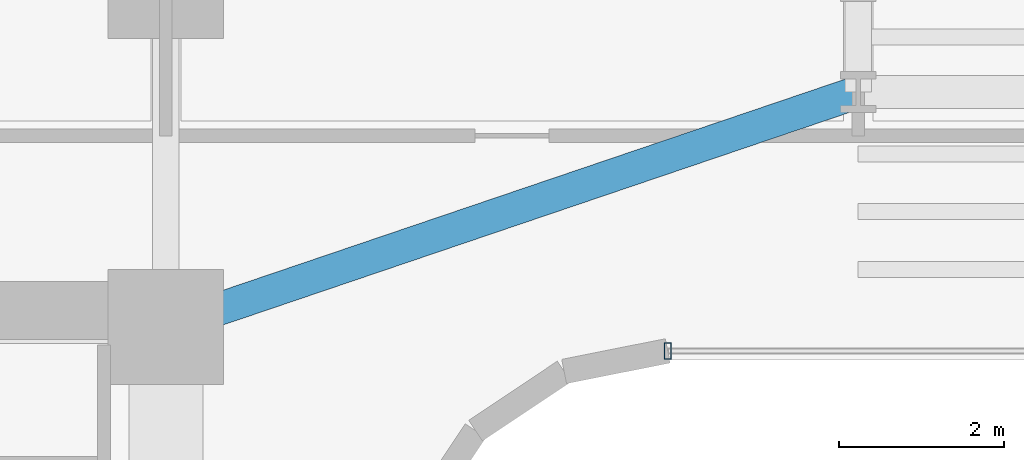
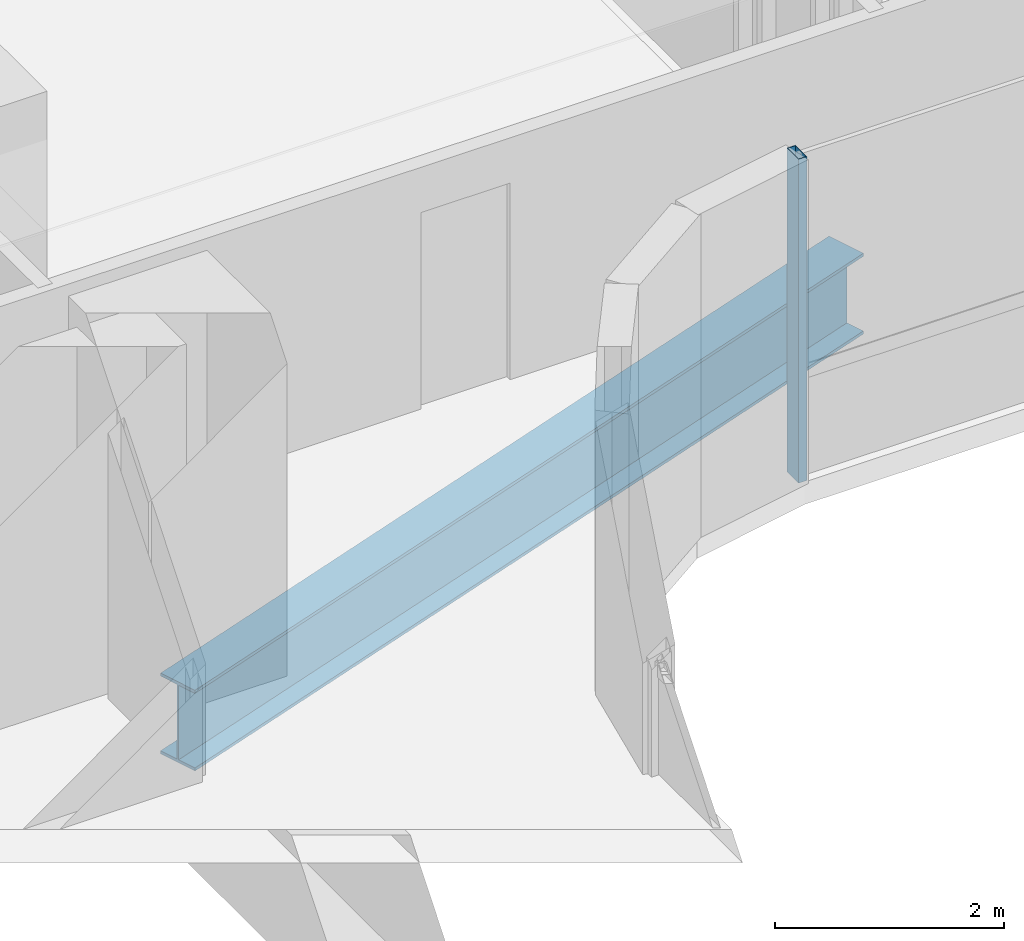
# One storey, part 11 of 38: 1 beam, 1 member, 1 element without a shape of its own.
"""IFC4 building model written with IfcOpenShell, lengths in metres."""

from ifc_helpers import new_model, si_unit, direction, frame, origin, origin_2d, place, context, subcontext, project, spatial, hollow_rectangle, i_section, extrude, source, transform, mapped, material, material_profile, profile_set, type_object, element, aggregate, save


model = new_model("IFC4")

# Units and contexts
model_context = context("Model", 3, precision=1e-05, world=origin(), true_north=direction((0.0, 1.0)))
body_context = subcontext(model_context, "Body", "Model", "MODEL_VIEW")
ifc_project = project(units=[si_unit("LENGTHUNIT", "METRE"), si_unit("AREAUNIT", "SQUARE_METRE"), si_unit("VOLUMEUNIT", "CUBIC_METRE"), si_unit("PLANEANGLEUNIT", "RADIAN"), si_unit("MASSUNIT", "GRAM", prefix="KILO")], contexts=[model_context])

# Site, building, storey
site_placement = place(None, origin())
site = spatial("IfcSite", under=ifc_project, at=site_placement, CompositionType="ELEMENT")
building_placement = place(site_placement, origin())
building = spatial("IfcBuilding", under=site, at=building_placement, Name="Valdorenza Pilgrim Sanctuary Tower", CompositionType="ELEMENT")
storey_placement = place(building_placement, frame((0.0, 0.0, 37.10009765625)))
storey = spatial("IfcBuildingStorey", under=building, at=storey_placement, Name="L08", CompositionType="ELEMENT", Elevation=37.10009765625)

# Beam
ifc_material_1 = material(Name="Steel ASTM A992 Grade 50", Category="steel")
ifc_material_profile_1 = material_profile(ifc_material_1, i_section(OverallWidth=0.39990234375, OverallDepth=0.862060546875, WebThickness=0.019775390625, FlangeThickness=0.032470703125, at=origin_2d()), Name="W33X221")
ifc_profile_set_1 = profile_set([ifc_material_profile_1], Name="Steel ASTM A992 Grade 50")
beam_type = type_object("IfcBeamType", Name="STR-BM-GRD-W33", PredefinedType="BEAM", material=ifc_profile_set_1)
shared_shape_1 = source(origin(), body_context, "Body", "SweptSolid", [
    extrude(i_section(OverallWidth=0.39990234375, OverallDepth=0.862060546875, WebThickness=0.019775390625, FlangeThickness=0.032470703125, at=origin_2d()), origin(), (0.0, 0.0, 1.0), 8.8701171875),
])
beam_placement = place(storey_placement, frame((-12.39990234375, 10.60009765625, -0.671142578125), z_axis=(0.946982588361, 0.321284885018, 0.0), x_axis=(-0.321284885018, 0.946982588361, 0.0)))
element("IfcBeam", 1, at=beam_placement, inside=storey, type_object=beam_type, Name="L08 Floor Girder KNK-G1", PredefinedType="BEAM", context=body_context, shape_type="MappedRepresentation", body=[
    mapped(shared_shape_1, transform((0.0, 0.0, 0.0), x_axis=(1.0, 0.0, 0.0), y_axis=(0.0, 1.0, 0.0), z_axis=(0.0, 0.0, 1.0), scale=1.0)),
])

# Curtain wall, member
ifc_material_2 = material(Name="Curtain-wall IGU glazing", Category="glass")
curtain_wall_type = type_object("IfcCurtainWallType", Name="CW-SYS-02", PredefinedType="NOTDEFINED", material=ifc_material_2)
curtain_wall_placement = place(storey_placement, origin())
curtain_wall = element("IfcCurtainWall", 2, at=curtain_wall_placement, inside=storey, type_object=curtain_wall_type, Name="L08 Curtain Wall CW-L08-1-36", PredefinedType="NOTDEFINED")
ifc_material_3 = material(Name="Anodised aluminium AW-6060", Category="aluminium")
ifc_material_profile_2 = material_profile(ifc_material_3, hollow_rectangle(XDim=0.0849609375, YDim=0.199951171875, WallThickness=0.0048828125, at=origin_2d()), Name="ALU-M 200x85x5")
ifc_profile_set_2 = profile_set([ifc_material_profile_2], Name="Anodised aluminium AW-6060")
member_type = type_object("IfcMemberType", Name="CW-MUL-02", PredefinedType="MULLION", material=ifc_profile_set_2)
shared_shape_2 = source(origin(), body_context, "Body", "SweptSolid", [
    extrude(hollow_rectangle(XDim=0.0849609375, YDim=0.199951171875, WallThickness=0.0048828125, at=origin_2d()), origin(), (0.0, 0.0, 1.0), 3.4599609375),
])
member_placement = place(storey_placement, frame((-6.310791015625, 10.31005859375, 0.0), z_axis=(0.0, 0.0, 1.0), x_axis=(-1.0, 0.0, 0.0)))
member = element("IfcMember", 3, at=member_placement, type_object=member_type, Name="CW-L08-1-36 Mullion 4", PredefinedType="MULLION", context=body_context, shape_type="MappedRepresentation", body=[
    mapped(shared_shape_2, transform((0.0, 0.0, 0.0), x_axis=(1.0, 0.0, 0.0), y_axis=(0.0, 1.0, 0.0), z_axis=(0.0, 0.0, 1.0), scale=1.0)),
])
aggregate(curtain_wall, [member])

save(model, "model.ifc")
